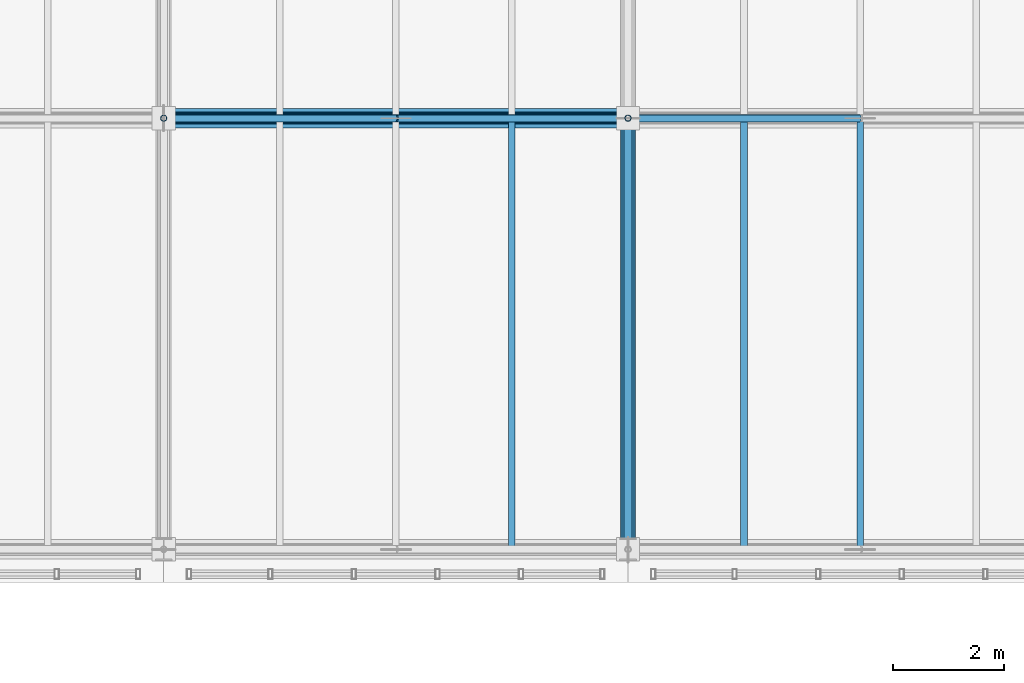
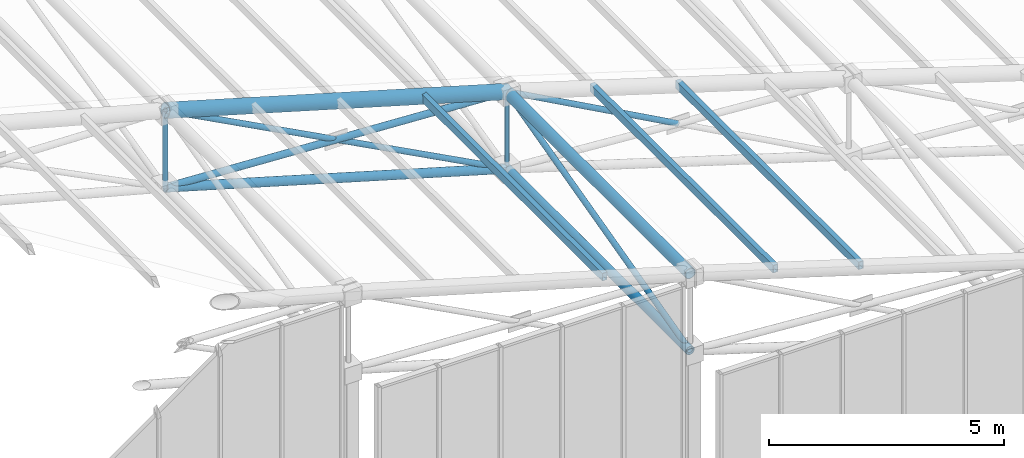
# One storey, part 49 of 144: 14 members.
"""IFC4 building model written with IfcOpenShell, lengths in metres."""

import ifcopenshell
import ifcopenshell.guid

model = None  # the IFC model being written
_history = None  # IfcOwnerHistory: only IFC2X3 demands one
_inside = {}  # id of a spatial element -> (the spatial element, [elements in it])
_under = {}  # id of a project, library or spatial element -> (it, [spatial elements below it])
_declared = {}  # id of a project -> (the project, [libraries it declares])
_typed = {}  # id of a type object -> (the type object, [elements of that type])
_made_of = {}  # id of a material, layer set ... -> (it, [elements and type objects made of it])


def new_model(schema):
    """Start an empty IFC model of exactly this schema.

    Asked for "IFC4X3", IfcOpenShell would pick the latest addendum, in which some entities
    have other attributes; the version numbers below select the first issue.
    IFC2X3 requires an IfcOwnerHistory on every rooted entity: one is made here for all.
    """
    global model, _history
    if schema == "IFC4X3":
        model = ifcopenshell.file(schema_version=(4, 3, 0, 0))
    else:
        model = ifcopenshell.file(schema=schema)
    _inside.clear()
    _under.clear()
    _declared.clear()
    _typed.clear()
    _made_of.clear()
    _history = None
    if model.schema == "IFC2X3":
        org = make("IfcOrganization", Name="unknown")
        user = make(
            "IfcPersonAndOrganization",
            ThePerson=make("IfcPerson", FamilyName="unknown"),
            TheOrganization=org,
        )
        app = make(
            "IfcApplication",
            ApplicationDeveloper=org,
            Version="unknown",
            ApplicationFullName="unknown",
            ApplicationIdentifier="unknown",
        )
        _history = make(
            "IfcOwnerHistory",
            OwningUser=user,
            OwningApplication=app,
            ChangeAction="ADDED",
            CreationDate=0,
        )
    return model


def make(cls, **values):
    """One entity of the class cls with the attributes given. An attribute that is None is left unset."""
    return model.create_entity(
        cls, **{name: value for name, value in values.items() if value is not None}
    )


def rooted(cls, **values):
    """An entity with a GlobalId (a new one), such as an element, a storey or a relation."""
    return make(cls, GlobalId=ifcopenshell.guid.new(), OwnerHistory=_history, **values)


def si_unit(unit_type, name, prefix=None):
    """IfcSIUnit, for example si_unit("LENGTHUNIT", "METRE", prefix="MILLI")."""
    return make("IfcSIUnit", UnitType=unit_type, Prefix=prefix, Name=name)


def assignment(units):
    """IfcUnitAssignment: the units of a project."""
    return None if units is None else make("IfcUnitAssignment", Units=units)


def point(xyz):
    """IfcCartesianPoint."""
    return None if xyz is None else make("IfcCartesianPoint", Coordinates=xyz)


def direction(xyz):
    """IfcDirection."""
    return None if xyz is None else make("IfcDirection", DirectionRatios=xyz)


def frame(location, z_axis=None, x_axis=None):
    """IfcAxis2Placement3D, a coordinate frame: its origin and axes. An axis left out is left unset."""
    return make(
        "IfcAxis2Placement3D",
        Location=point(location),
        Axis=direction(z_axis),
        RefDirection=direction(x_axis),
    )


def frame_2d(location, x_axis=None):
    """IfcAxis2Placement2D, a coordinate frame in the plane: its origin and x axis."""
    return make(
        "IfcAxis2Placement2D", Location=point(location), RefDirection=direction(x_axis)
    )


def origin():
    """The frame at (0, 0, 0) with its axes left unset."""
    return frame((0.0, 0.0, 0.0))


def origin_2d():
    """The frame at (0, 0) in the plane with its x axis left unset."""
    return frame_2d((0.0, 0.0))


def place(relative_to, where):
    """IfcLocalPlacement: puts the frame where relative to a parent placement (None: the world)."""
    return make(
        "IfcLocalPlacement", PlacementRelTo=relative_to, RelativePlacement=where
    )


def context(
    kind, dimensions, precision=None, world=None, true_north=None, identifier=None
):
    """IfcGeometricRepresentationContext, for example the 3D "Model" context."""
    return make(
        "IfcGeometricRepresentationContext",
        ContextIdentifier=identifier,
        ContextType=kind,
        CoordinateSpaceDimension=dimensions,
        Precision=precision,
        WorldCoordinateSystem=world,
        TrueNorth=true_north,
    )


def subcontext(parent, identifier, kind, view, scale=None):
    """IfcGeometricRepresentationSubContext, for example "Body" below "Model"."""
    return make(
        "IfcGeometricRepresentationSubContext",
        ContextIdentifier=identifier,
        ContextType=kind,
        ParentContext=parent,
        TargetScale=scale,
        TargetView=view,
    )


def project(units=None, contexts=None):
    """IfcProject with its units and contexts."""
    return rooted(
        "IfcProject",
        Name="project",
        RepresentationContexts=contexts,
        UnitsInContext=assignment(units),
    )


def spatial(cls, under=None, at=None, **own):
    """A site, building, storey or space (cls), placed at a placement, below another one or the project."""
    s = rooted(cls, ObjectPlacement=at, **own)
    if under is not None:
        _under.setdefault(under.id(), (under, []))[1].append(s)
    return s


def profile(cls, at=None, kind="AREA", **sizes):
    """A parametric profile (cls). Its sizes go by their IFC names, for example OverallWidth=200.0."""
    return make(cls, ProfileType=kind, Position=at, **sizes)


def hollow_rectangle(**sizes):
    """IfcRectangleHollowProfileDef."""
    return profile("IfcRectangleHollowProfileDef", **sizes)


def hollow_circle(**sizes):
    """IfcCircleHollowProfileDef."""
    return profile("IfcCircleHollowProfileDef", **sizes)


def extrude(swept, where, along, depth):
    """IfcExtrudedAreaSolid: the profile swept, set in the frame where, extruded along a direction by depth."""
    return make(
        "IfcExtrudedAreaSolid",
        SweptArea=swept,
        Position=where,
        ExtrudedDirection=direction(along),
        Depth=depth,
    )


def shape(context_of_items, identifier, shape_type, items):
    """IfcShapeRepresentation: the items that make up one representation, for example the "Body"."""
    return make(
        "IfcShapeRepresentation",
        ContextOfItems=context_of_items,
        RepresentationIdentifier=identifier,
        RepresentationType=shape_type,
        Items=items,
    )


def material(Name=None, Category=None):
    """IfcMaterial."""
    return make("IfcMaterial", Name=Name, Category=Category)


def material_profile(
    of_material, cross_section, Name=None, Category=None, Priority=None
):
    """IfcMaterialProfile: a cross section and its material."""
    return make(
        "IfcMaterialProfile",
        Name=Name,
        Material=of_material,
        Profile=cross_section,
        Priority=Priority,
        Category=Category,
    )


def profile_set(profiles, Name=None, composite=None):
    """IfcMaterialProfileSet."""
    return make(
        "IfcMaterialProfileSet",
        Name=Name,
        MaterialProfiles=profiles,
        CompositeProfile=composite,
    )


def made_of(thing, what):
    """Note that an element or type object is made of a material, layer set ...; save() writes the relation."""
    if what is not None:
        _made_of.setdefault(what.id(), (what, []))[1].append(thing)
    return thing


def type_object(cls, material=None, **own):
    """A type object (cls), such as IfcWallType, which elements share."""
    return made_of(rooted(cls, **own), material)


def element(
    cls,
    number,
    at=None,
    inside=None,
    cuts=None,
    type_object=None,
    material=None,
    context=None,
    identifier="Body",
    shape_type=None,
    held_by="IfcProductDefinitionShape",
    body=None,
    shapes=None,
    **own,
):
    """One element of the class cls, such as IfcWall. Its Tag is "e" and its number.

    at: its placement. inside: the storey or other place that contains it. cuts: it is an
    opening in that element (IfcRelVoidsElement). A single representation is given by context,
    identifier, shape_type and body (its items); several are given by shapes. held_by: the class
    of the entity that holds the representations. save() writes the other relations.
    """
    e = rooted(cls, Tag="e%d" % number, ObjectPlacement=at, **own)
    if body is not None:
        shapes = [shape(context, identifier, shape_type, body)]
    if shapes is not None:
        e.Representation = make(held_by, Representations=shapes)
    if inside is not None:
        _inside.setdefault(inside.id(), (inside, []))[1].append(e)
    if cuts is not None:
        rooted(
            "IfcRelVoidsElement", RelatingBuildingElement=cuts, RelatedOpeningElement=e
        )
    if type_object is not None:
        _typed.setdefault(type_object.id(), (type_object, []))[1].append(e)
    return made_of(e, material)


def aggregate(whole, parts):
    """IfcRelAggregates: a whole, such as a stair, and the parts it consists of."""
    return rooted("IfcRelAggregates", RelatingObject=whole, RelatedObjects=parts)


def save(model, path):
    """Write the relations noted so far, then the file.

    IfcRelAggregates (storeys below a building ...), IfcRelContainedInSpatialStructure (elements
    in a storey), IfcRelDefinesByType, IfcRelAssociatesMaterial and IfcRelDeclares: one each for
    every whole, place, type object, material and project.
    """
    for whole, parts in _under.values():
        aggregate(whole, parts)
    for where, things in _inside.values():
        rooted(
            "IfcRelContainedInSpatialStructure",
            RelatedElements=things,
            RelatingStructure=where,
        )
    for kind, things in _typed.values():
        rooted("IfcRelDefinesByType", RelatedObjects=things, RelatingType=kind)
    for what, things in _made_of.values():
        rooted("IfcRelAssociatesMaterial", RelatedObjects=things, RelatingMaterial=what)
    for by, libraries in _declared.values():
        rooted("IfcRelDeclares", RelatingContext=by, RelatedDefinitions=libraries)
    model.write(path)


model = new_model("IFC4")

# Units and contexts
model_context = context("Model", 3, precision=1e-05, world=origin(), true_north=direction((0.0, 1.0)))
body_context = subcontext(model_context, "Body", "Model", "MODEL_VIEW")
ifc_project = project(units=[si_unit("LENGTHUNIT", "METRE"), si_unit("AREAUNIT", "SQUARE_METRE"), si_unit("VOLUMEUNIT", "CUBIC_METRE"), si_unit("PLANEANGLEUNIT", "RADIAN"), si_unit("MASSUNIT", "GRAM", prefix="KILO")], contexts=[model_context])

# Site, building, storey
site_placement = place(None, origin())
site = spatial("IfcSite", under=ifc_project, at=site_placement, CompositionType="ELEMENT")
building_placement = place(site_placement, origin())
building = spatial("IfcBuilding", under=site, at=building_placement, Name="Zayran Congress Hotel", CompositionType="ELEMENT")
storey_placement = place(building_placement, frame((0.0, 0.0, 19.199951171875)))
storey = spatial("IfcBuildingStorey", under=building, at=storey_placement, Name="L04", CompositionType="ELEMENT", Elevation=19.199951171875)

# Members
ifc_material = material(Name="Steel S355", Category="steel")
ifc_material_profile_1 = material_profile(ifc_material, hollow_circle(Radius=0.177734375, WallThickness=0.01611328125, at=origin_2d()), Name="CHS 355.6x16")
ifc_profile_set_1 = profile_set([ifc_material_profile_1], Name="Steel S355")
member_type_1 = type_object("IfcMemberType", Name="TP-SF-TC1", PredefinedType="CHORD", material=ifc_profile_set_1)
member_1_placement = place(storey_placement, frame((58.800048828125, 76.0, 12.35205078125), z_axis=(0.960000625005, 0.0, -0.279997857116), x_axis=(0.0, 1.0, 0.0)))
element("IfcMember", 1, at=member_1_placement, inside=storey, type_object=member_type_1, Name="Space Frame Top Chord X 339", PredefinedType="CHORD", context=body_context, shape_type="SweptSolid", body=[
    extrude(hollow_circle(Radius=0.177734375, WallThickness=0.01611328125, at=origin_2d()), origin(), (0.0, 0.0, 1.0), 8.75),
])
ifc_material_profile_2 = material_profile(ifc_material, hollow_circle(Radius=0.136474609375, WallThickness=0.012451171875, at=origin_2d()), Name="CHS 273x12.5")
ifc_profile_set_2 = profile_set([ifc_material_profile_2], Name="Steel S355")
member_type_2 = type_object("IfcMemberType", Name="TP-SF-TC2", PredefinedType="CHORD", material=ifc_profile_set_2)
member_2_placement = place(storey_placement, frame((67.199951171875, 68.199951171875, 9.902099609375), z_axis=(0.0, 1.0, 0.0), x_axis=(-1.0, 0.0, 0.0)))
element("IfcMember", 2, at=member_2_placement, inside=storey, type_object=member_type_2, Name="Space Frame Top Chord Y 388", PredefinedType="CHORD", context=body_context, shape_type="SweptSolid", body=[
    extrude(hollow_circle(Radius=0.136474609375, WallThickness=0.012451171875, at=origin_2d()), origin(), (0.0, 0.0, 1.0), 7.800048828125),
])
ifc_material_profile_3 = material_profile(ifc_material, hollow_circle(Radius=0.109619140625, WallThickness=0.010009765625, at=origin_2d()), Name="CHS 219.1x10")
ifc_profile_set_3 = profile_set([ifc_material_profile_3], Name="Steel S355")
member_type_3 = type_object("IfcMemberType", Name="TP-SF-BC1", PredefinedType="CHORD", material=ifc_profile_set_3)
member_3_placement = place(storey_placement, frame((58.800048828125, 76.0, 10.35009765625), z_axis=(0.960000625005, 0.0, -0.279997857116), x_axis=(0.0, 1.0, 0.0)))
element("IfcMember", 3, at=member_3_placement, inside=storey, type_object=member_type_3, Name="Space Frame Bottom Chord X 340", PredefinedType="CHORD", context=body_context, shape_type="SweptSolid", body=[
    extrude(hollow_circle(Radius=0.109619140625, WallThickness=0.010009765625, at=origin_2d()), origin(), (0.0, 0.0, 1.0), 8.75),
])
member_4_placement = place(storey_placement, frame((67.199951171875, 68.199951171875, 7.900146484375), z_axis=(0.0, 1.0, 0.0), x_axis=(-1.0, 0.0, 0.0)))
element("IfcMember", 4, at=member_4_placement, inside=storey, type_object=member_type_3, Name="Space Frame Bottom Chord Y 389", PredefinedType="CHORD", context=body_context, shape_type="SweptSolid", body=[
    extrude(hollow_circle(Radius=0.109619140625, WallThickness=0.010009765625, at=origin_2d()), origin(), (0.0, 0.0, 1.0), 7.800048828125),
])
ifc_material_profile_4 = material_profile(ifc_material, hollow_circle(Radius=0.084228515625, WallThickness=0.008056640625, at=origin_2d()), Name="CHS 168.3x8")
ifc_profile_set_4 = profile_set([ifc_material_profile_4], Name="Steel S355")
member_type_4 = type_object("IfcMemberType", Name="TP-SF-DG1", PredefinedType="BRACE", material=ifc_profile_set_4)
member_5_placement = place(storey_placement, frame((58.800048828125, 76.0, 10.35009765625), z_axis=(0.998580784097, 0.0, -0.053258028798), x_axis=(0.0, 1.0, 0.0)))
element("IfcMember", 5, at=member_5_placement, inside=storey, type_object=member_type_4, Name="Space Frame Web Diagonal X 341", PredefinedType="BRACE", context=body_context, shape_type="SweptSolid", body=[
    extrude(hollow_circle(Radius=0.084228515625, WallThickness=0.008056640625, at=origin_2d()), origin(), (0.0, 0.0, 1.0), 8.411865234375),
])
ifc_material_profile_5 = material_profile(ifc_material, hollow_circle(Radius=0.06982421875, WallThickness=0.00634765625, at=origin_2d()), Name="CHS 139.7x6.3")
ifc_profile_set_5 = profile_set([ifc_material_profile_5], Name="Steel S355")
member_type_5 = type_object("IfcMemberType", Name="TP-SF-DG2", PredefinedType="BRACE", material=ifc_profile_set_5)
for number, where, z_axis, x_axis, name in (
    (6, (58.800048828125, 76.0, 12.35205078125), (0.883572260403, 0.0, -0.468294843711), (0.0, 1.0, 0.0), "Space Frame Counter Diagonal X Upper 342"),
    (7, (63.01318359375, 76.0, 10.119140625), (0.883572260403, 0.0, -0.468294843711), (0.0, 1.0, 0.0), "Space Frame Counter Diagonal X Lower 56"),
):
    element("IfcMember", number, at=place(storey_placement, frame(where, z_axis=z_axis, x_axis=x_axis)), inside=storey, type_object=member_type_5, Name=name, PredefinedType="BRACE", context=body_context, shape_type="SweptSolid", body=[
        extrude(hollow_circle(Radius=0.06982421875, WallThickness=0.00634765625, at=origin_2d()), origin(), (0.0, 0.0, 1.0), 4.738525390625),
    ])
member_6_placement = place(storey_placement, frame((67.199951171875, 68.199951171875, 7.900146484375), z_axis=(0.0, 0.968605860949, 0.248601460446), x_axis=(-1.0, 0.0, 0.0)))
element("IfcMember", 8, at=member_6_placement, inside=storey, type_object=member_type_5, Name="Space Frame Web Diagonal Y 390", PredefinedType="BRACE", context=body_context, shape_type="SweptSolid", body=[
    extrude(hollow_circle(Radius=0.06982421875, WallThickness=0.00634765625, at=origin_2d()), origin(), (0.0, 0.0, 1.0), 8.052978515625),
])
member_7_placement = place(storey_placement, frame((67.199951171875, 76.0, 9.902099609375), z_axis=(0.87699109083, 0.0, -0.480506635339), x_axis=(0.0, 1.0, 0.0)))
element("IfcMember", 9, at=member_7_placement, inside=storey, type_object=member_type_5, Name="Space Frame Counter Diagonal X Upper 395", PredefinedType="BRACE", context=body_context, shape_type="SweptSolid", body=[
    extrude(hollow_circle(Radius=0.06982421875, WallThickness=0.00634765625, at=origin_2d()), origin(), (0.0, 0.0, 1.0), 4.77392578125),
])
ifc_material_profile_6 = material_profile(ifc_material, hollow_circle(Radius=0.05712890625, WallThickness=0.00634765625, at=origin_2d()), Name="CHS 114.3x6.3")
ifc_profile_set_6 = profile_set([ifc_material_profile_6], Name="Steel S355")
member_type_6 = type_object("IfcMemberType", Name="TP-SF-DG3", PredefinedType="BRACE", material=ifc_profile_set_6)
for number, where, z_axis, x_axis, name in (
    (10, (58.800048828125, 76.0, 10.35009765625), (0.0, 0.0, 1.0), (0.0, 1.0, 0.0), "Space Frame Web Strut 346"),
    (11, (67.199951171875, 76.0, 7.900146484375), (0.0, 0.0, 1.0), (0.0, 1.0, 0.0), "Space Frame Web Strut 399"),
):
    element("IfcMember", number, at=place(storey_placement, frame(where, z_axis=z_axis, x_axis=x_axis)), inside=storey, type_object=member_type_6, Name=name, PredefinedType="BRACE", context=body_context, shape_type="SweptSolid", body=[
        extrude(hollow_circle(Radius=0.05712890625, WallThickness=0.00634765625, at=origin_2d()), origin(), (0.0, 0.0, 1.0), 2.001953125),
    ])
ifc_material_profile_7 = material_profile(ifc_material, hollow_rectangle(XDim=0.1201171875, YDim=0.199951171875, WallThickness=0.008056640625, at=origin_2d()), Name="RHS 200x120x8")
ifc_profile_set_7 = profile_set([ifc_material_profile_7], Name="Steel S355")
member_type_7 = type_object("IfcMemberType", Name="TP-PR-01", PredefinedType="PURLIN", material=ifc_profile_set_7)
for number, where, z_axis, x_axis, name in (
    (12, (65.10009765625, 68.199951171875, 10.556640625), (0.0, 1.0, 0.0), (-1.0, 0.0, 0.0), "MEM-PR-V1-0121"),
    (13, (69.300048828125, 68.199951171875, 9.2939453125), (0.0, 1.0, 0.0), (-1.0, 0.0, 0.0), "MEM-PR-V1-0127"),
    (14, (71.39990234375, 68.199951171875, 8.64404296875), (0.0, 1.0, 0.0), (-1.0, 0.0, 0.0), "MEM-PR-V1-0133"),
):
    element("IfcMember", number, at=place(storey_placement, frame(where, z_axis=z_axis, x_axis=x_axis)), inside=storey, type_object=member_type_7, Name=name, PredefinedType="PURLIN", context=body_context, shape_type="SweptSolid", body=[
        extrude(hollow_rectangle(XDim=0.1201171875, YDim=0.199951171875, WallThickness=0.008056640625, at=origin_2d()), origin(), (0.0, 0.0, 1.0), 7.800048828125),
    ])

save(model, "model.ifc")
